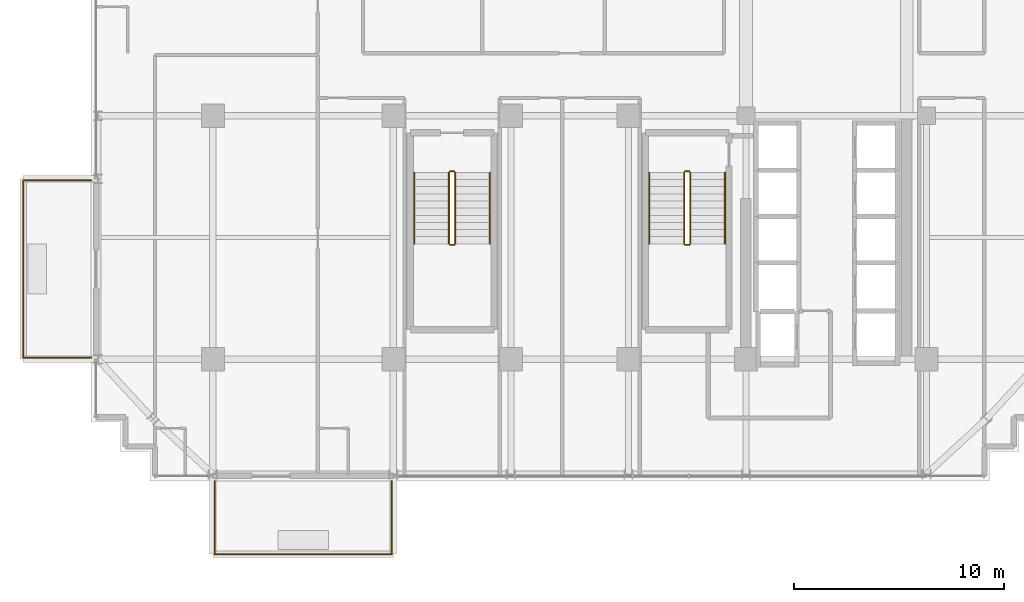
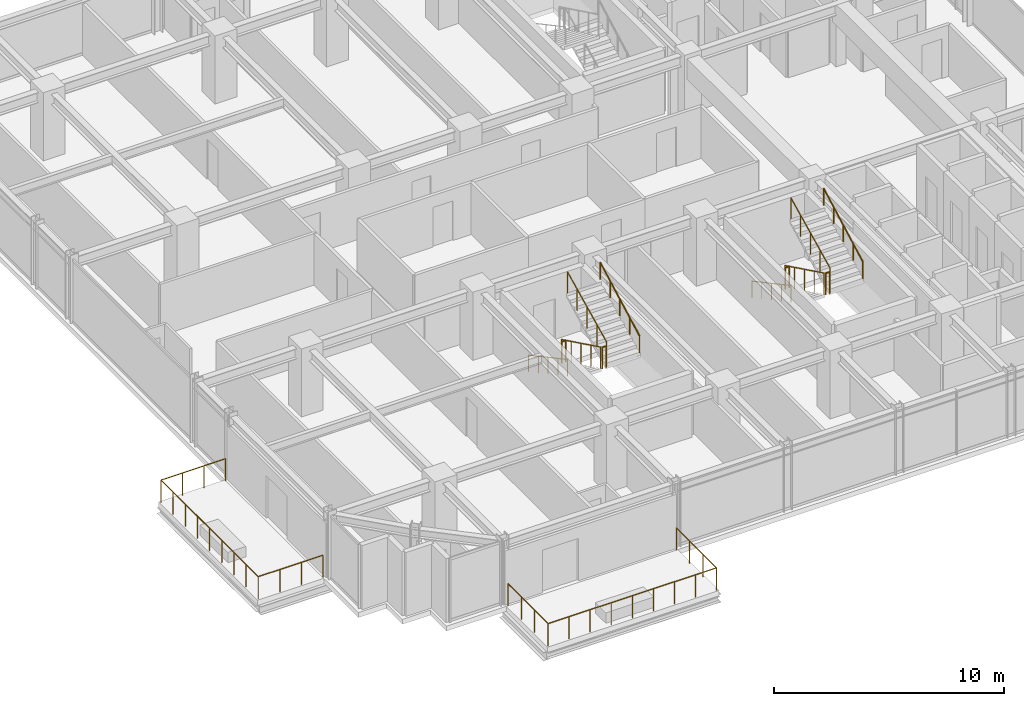
# One storey, part 29 of 31: 14 railings.
"""IFC4 building model written with IfcOpenShell, lengths in metres."""

import ifcopenshell
import ifcopenshell.guid

model = None  # the IFC model being written
_history = None  # IfcOwnerHistory: only IFC2X3 demands one
_inside = {}  # id of a spatial element -> (the spatial element, [elements in it])
_under = {}  # id of a project, library or spatial element -> (it, [spatial elements below it])
_declared = {}  # id of a project -> (the project, [libraries it declares])
_typed = {}  # id of a type object -> (the type object, [elements of that type])
_made_of = {}  # id of a material, layer set ... -> (it, [elements and type objects made of it])


def new_model(schema):
    """Start an empty IFC model of exactly this schema.

    Asked for "IFC4X3", IfcOpenShell would pick the latest addendum, in which some entities
    have other attributes; the version numbers below select the first issue.
    IFC2X3 requires an IfcOwnerHistory on every rooted entity: one is made here for all.
    """
    global model, _history
    if schema == "IFC4X3":
        model = ifcopenshell.file(schema_version=(4, 3, 0, 0))
    else:
        model = ifcopenshell.file(schema=schema)
    _inside.clear()
    _under.clear()
    _declared.clear()
    _typed.clear()
    _made_of.clear()
    _history = None
    if model.schema == "IFC2X3":
        org = make("IfcOrganization", Name="unknown")
        user = make(
            "IfcPersonAndOrganization",
            ThePerson=make("IfcPerson", FamilyName="unknown"),
            TheOrganization=org,
        )
        app = make(
            "IfcApplication",
            ApplicationDeveloper=org,
            Version="unknown",
            ApplicationFullName="unknown",
            ApplicationIdentifier="unknown",
        )
        _history = make(
            "IfcOwnerHistory",
            OwningUser=user,
            OwningApplication=app,
            ChangeAction="ADDED",
            CreationDate=0,
        )
    return model


def make(cls, **values):
    """One entity of the class cls with the attributes given. An attribute that is None is left unset."""
    return model.create_entity(
        cls, **{name: value for name, value in values.items() if value is not None}
    )


def rooted(cls, **values):
    """An entity with a GlobalId (a new one), such as an element, a storey or a relation."""
    return make(cls, GlobalId=ifcopenshell.guid.new(), OwnerHistory=_history, **values)


def si_unit(unit_type, name, prefix=None):
    """IfcSIUnit, for example si_unit("LENGTHUNIT", "METRE", prefix="MILLI")."""
    return make("IfcSIUnit", UnitType=unit_type, Prefix=prefix, Name=name)


def assignment(units):
    """IfcUnitAssignment: the units of a project."""
    return None if units is None else make("IfcUnitAssignment", Units=units)


def point(xyz):
    """IfcCartesianPoint."""
    return None if xyz is None else make("IfcCartesianPoint", Coordinates=xyz)


def direction(xyz):
    """IfcDirection."""
    return None if xyz is None else make("IfcDirection", DirectionRatios=xyz)


def frame(location, z_axis=None, x_axis=None):
    """IfcAxis2Placement3D, a coordinate frame: its origin and axes. An axis left out is left unset."""
    return make(
        "IfcAxis2Placement3D",
        Location=point(location),
        Axis=direction(z_axis),
        RefDirection=direction(x_axis),
    )


def frame_2d(location, x_axis=None):
    """IfcAxis2Placement2D, a coordinate frame in the plane: its origin and x axis."""
    return make(
        "IfcAxis2Placement2D", Location=point(location), RefDirection=direction(x_axis)
    )


def origin():
    """The frame at (0, 0, 0) with its axes left unset."""
    return frame((0.0, 0.0, 0.0))


def origin_2d():
    """The frame at (0, 0) in the plane with its x axis left unset."""
    return frame_2d((0.0, 0.0))


def place(relative_to, where):
    """IfcLocalPlacement: puts the frame where relative to a parent placement (None: the world)."""
    return make(
        "IfcLocalPlacement", PlacementRelTo=relative_to, RelativePlacement=where
    )


def context(
    kind, dimensions, precision=None, world=None, true_north=None, identifier=None
):
    """IfcGeometricRepresentationContext, for example the 3D "Model" context."""
    return make(
        "IfcGeometricRepresentationContext",
        ContextIdentifier=identifier,
        ContextType=kind,
        CoordinateSpaceDimension=dimensions,
        Precision=precision,
        WorldCoordinateSystem=world,
        TrueNorth=true_north,
    )


def subcontext(parent, identifier, kind, view, scale=None):
    """IfcGeometricRepresentationSubContext, for example "Body" below "Model"."""
    return make(
        "IfcGeometricRepresentationSubContext",
        ContextIdentifier=identifier,
        ContextType=kind,
        ParentContext=parent,
        TargetScale=scale,
        TargetView=view,
    )


def project(units=None, contexts=None):
    """IfcProject with its units and contexts."""
    return rooted(
        "IfcProject",
        Name="project",
        RepresentationContexts=contexts,
        UnitsInContext=assignment(units),
    )


def spatial(cls, under=None, at=None, **own):
    """A site, building, storey or space (cls), placed at a placement, below another one or the project."""
    s = rooted(cls, ObjectPlacement=at, **own)
    if under is not None:
        _under.setdefault(under.id(), (under, []))[1].append(s)
    return s


def profile(cls, at=None, kind="AREA", **sizes):
    """A parametric profile (cls). Its sizes go by their IFC names, for example OverallWidth=200.0."""
    return make(cls, ProfileType=kind, Position=at, **sizes)


def circle(**sizes):
    """IfcCircleProfileDef."""
    return profile("IfcCircleProfileDef", **sizes)


def extrude(swept, where, along, depth):
    """IfcExtrudedAreaSolid: the profile swept, set in the frame where, extruded along a direction by depth."""
    return make(
        "IfcExtrudedAreaSolid",
        SweptArea=swept,
        Position=where,
        ExtrudedDirection=direction(along),
        Depth=depth,
    )


def shape(context_of_items, identifier, shape_type, items):
    """IfcShapeRepresentation: the items that make up one representation, for example the "Body"."""
    return make(
        "IfcShapeRepresentation",
        ContextOfItems=context_of_items,
        RepresentationIdentifier=identifier,
        RepresentationType=shape_type,
        Items=items,
    )


def material(Name=None, Category=None):
    """IfcMaterial."""
    return make("IfcMaterial", Name=Name, Category=Category)


def made_of(thing, what):
    """Note that an element or type object is made of a material, layer set ...; save() writes the relation."""
    if what is not None:
        _made_of.setdefault(what.id(), (what, []))[1].append(thing)
    return thing


def type_object(cls, material=None, **own):
    """A type object (cls), such as IfcWallType, which elements share."""
    return made_of(rooted(cls, **own), material)


def element(
    cls,
    number,
    at=None,
    inside=None,
    cuts=None,
    type_object=None,
    material=None,
    context=None,
    identifier="Body",
    shape_type=None,
    held_by="IfcProductDefinitionShape",
    body=None,
    shapes=None,
    **own,
):
    """One element of the class cls, such as IfcWall. Its Tag is "e" and its number.

    at: its placement. inside: the storey or other place that contains it. cuts: it is an
    opening in that element (IfcRelVoidsElement). A single representation is given by context,
    identifier, shape_type and body (its items); several are given by shapes. held_by: the class
    of the entity that holds the representations. save() writes the other relations.
    """
    e = rooted(cls, Tag="e%d" % number, ObjectPlacement=at, **own)
    if body is not None:
        shapes = [shape(context, identifier, shape_type, body)]
    if shapes is not None:
        e.Representation = make(held_by, Representations=shapes)
    if inside is not None:
        _inside.setdefault(inside.id(), (inside, []))[1].append(e)
    if cuts is not None:
        rooted(
            "IfcRelVoidsElement", RelatingBuildingElement=cuts, RelatedOpeningElement=e
        )
    if type_object is not None:
        _typed.setdefault(type_object.id(), (type_object, []))[1].append(e)
    return made_of(e, material)


def aggregate(whole, parts):
    """IfcRelAggregates: a whole, such as a stair, and the parts it consists of."""
    return rooted("IfcRelAggregates", RelatingObject=whole, RelatedObjects=parts)


def save(model, path):
    """Write the relations noted so far, then the file.

    IfcRelAggregates (storeys below a building ...), IfcRelContainedInSpatialStructure (elements
    in a storey), IfcRelDefinesByType, IfcRelAssociatesMaterial and IfcRelDeclares: one each for
    every whole, place, type object, material and project.
    """
    for whole, parts in _under.values():
        aggregate(whole, parts)
    for where, things in _inside.values():
        rooted(
            "IfcRelContainedInSpatialStructure",
            RelatedElements=things,
            RelatingStructure=where,
        )
    for kind, things in _typed.values():
        rooted("IfcRelDefinesByType", RelatedObjects=things, RelatingType=kind)
    for what, things in _made_of.values():
        rooted("IfcRelAssociatesMaterial", RelatedObjects=things, RelatingMaterial=what)
    for by, libraries in _declared.values():
        rooted("IfcRelDeclares", RelatingContext=by, RelatedDefinitions=libraries)
    model.write(path)


model = new_model("IFC4")

# Units and contexts
model_context = context("Model", 3, precision=1e-05, world=origin(), true_north=direction((0.0, 1.0)))
body_context = subcontext(model_context, "Body", "Model", "MODEL_VIEW")
ifc_project = project(units=[si_unit("LENGTHUNIT", "METRE"), si_unit("AREAUNIT", "SQUARE_METRE"), si_unit("VOLUMEUNIT", "CUBIC_METRE"), si_unit("PLANEANGLEUNIT", "RADIAN"), si_unit("MASSUNIT", "GRAM", prefix="KILO")], contexts=[model_context])

# Site, building, storey
site_placement = place(None, origin())
site = spatial("IfcSite", under=ifc_project, at=site_placement, CompositionType="ELEMENT")
building_placement = place(site_placement, origin())
building = spatial("IfcBuilding", under=site, at=building_placement, Name="Nahalor Promenade Grand Hotel", CompositionType="ELEMENT")
storey_placement = place(building_placement, frame((0.0, 0.0, 156.300048828125)))
storey = spatial("IfcBuildingStorey", under=building, at=storey_placement, Name="L39", CompositionType="ELEMENT", Elevation=156.300048828125)

# Railings
ifc_material_1 = material(Name="Anodised Bronze Aluminium EN AW-6063 T6", Category="aluminium")
railing_type_1 = type_object("IfcRailingType", Name="Bronze Balcony Guardrail 1200 mm", PredefinedType="GUARDRAIL", material=ifc_material_1)
railing_1_placement = place(storey_placement, frame((-16.919921875, -22.800048828125, 0.0)))
element("IfcRailing", 1, at=railing_1_placement, inside=storey, type_object=railing_type_1, Name="L39 Balcony Guardrail 1", PredefinedType="GUARDRAIL", context=body_context, shape_type="SweptSolid", body=[
    extrude(circle(Radius=0.024048, at=origin_2d()), frame((0.0, 0.0, 1.17578125), z_axis=(0.0, -1.0, 0.0), x_axis=(1.0, 0.0, 0.0)), (0.0, 0.0, 1.0), 3.488037109375),
    extrude(circle(Radius=0.024048, at=origin_2d()), frame((0.001953125, -3.489990234375, 1.17578125), z_axis=(1.0, 0.0, 0.0), x_axis=(0.0, 1.0, 0.0)), (0.0, 0.0, 1.0), 8.43603515625),
    extrude(circle(Radius=0.024048, at=origin_2d()), frame((8.43994140625, -3.488037109375, 1.17578125), z_axis=(0.0, 1.0, 0.0), x_axis=(-1.0, 0.0, 0.0)), (0.0, 0.0, 1.0), 3.488037109375),
    extrude(circle(Radius=0.020996, at=origin_2d()), origin(), (0.0, 0.0, 1.0), 1.14990234375),
    extrude(circle(Radius=0.020996, at=origin_2d()), frame((0.0, -1.163330078125, 0.0)), (0.0, 0.0, 1.0), 1.14990234375),
    extrude(circle(Radius=0.020996, at=origin_2d()), frame((0.0, -2.32666015625, 0.0)), (0.0, 0.0, 1.0), 1.14990234375),
    extrude(circle(Radius=0.020996, at=origin_2d()), frame((0.0, -3.489990234375, 0.0)), (0.0, 0.0, 1.0), 1.14990234375),
    extrude(circle(Radius=0.020996, at=origin_2d()), frame((1.054931640625, -3.489990234375, 0.0)), (0.0, 0.0, 1.0), 1.14990234375),
    extrude(circle(Radius=0.020996, at=origin_2d()), frame((2.10986328125, -3.489990234375, 0.0)), (0.0, 0.0, 1.0), 1.14990234375),
    extrude(circle(Radius=0.020996, at=origin_2d()), frame((3.1650390625, -3.489990234375, 0.0)), (0.0, 0.0, 1.0), 1.14990234375),
    extrude(circle(Radius=0.020996, at=origin_2d()), frame((4.219970703125, -3.489990234375, 0.0)), (0.0, 0.0, 1.0), 1.14990234375),
    extrude(circle(Radius=0.020996, at=origin_2d()), frame((5.27490234375, -3.489990234375, 0.0)), (0.0, 0.0, 1.0), 1.14990234375),
    extrude(circle(Radius=0.020996, at=origin_2d()), frame((6.330078125, -3.489990234375, 0.0)), (0.0, 0.0, 1.0), 1.14990234375),
    extrude(circle(Radius=0.020996, at=origin_2d()), frame((7.385009765625, -3.489990234375, 0.0)), (0.0, 0.0, 1.0), 1.14990234375),
    extrude(circle(Radius=0.020996, at=origin_2d()), frame((8.43994140625, -3.489990234375, 0.0)), (0.0, 0.0, 1.0), 1.14990234375),
    extrude(circle(Radius=0.020996, at=origin_2d()), frame((8.43994140625, -2.32666015625, 0.0)), (0.0, 0.0, 1.0), 1.14990234375),
    extrude(circle(Radius=0.020996, at=origin_2d()), frame((8.43994140625, -1.163330078125, 0.0)), (0.0, 0.0, 1.0), 1.14990234375),
    extrude(circle(Radius=0.020996, at=origin_2d()), frame((8.43994140625, 0.0, 0.0)), (0.0, 0.0, 1.0), 1.14990234375),
])
railing_2_placement = place(storey_placement, frame((-22.800048828125, -16.919921875, 0.0)))
element("IfcRailing", 2, at=railing_2_placement, inside=storey, type_object=railing_type_1, Name="L39 Balcony Guardrail 2", PredefinedType="GUARDRAIL", context=body_context, shape_type="SweptSolid", body=[
    extrude(circle(Radius=0.024048, at=origin_2d()), frame((0.0, 0.0, 1.17578125), z_axis=(-1.0, 0.0, 0.0), x_axis=(0.0, -1.0, 0.0)), (0.0, 0.0, 1.0), 3.238037109375),
    extrude(circle(Radius=0.024048, at=origin_2d()), frame((-3.239990234375, 0.001953125, 1.17578125), z_axis=(0.0, 1.0, 0.0), x_axis=(-1.0, 0.0, 0.0)), (0.0, 0.0, 1.0), 8.43603515625),
    extrude(circle(Radius=0.024048, at=origin_2d()), frame((-3.238037109375, 8.43994140625, 1.17578125), z_axis=(1.0, 0.0, 0.0), x_axis=(0.0, 1.0, 0.0)), (0.0, 0.0, 1.0), 3.238037109375),
    extrude(circle(Radius=0.020996, at=origin_2d()), origin(), (0.0, 0.0, 1.0), 1.14990234375),
    extrude(circle(Radius=0.020996, at=origin_2d()), frame((-1.080078125, 0.0, 0.0)), (0.0, 0.0, 1.0), 1.14990234375),
    extrude(circle(Radius=0.020996, at=origin_2d()), frame((-2.159912109375, 0.0, 0.0)), (0.0, 0.0, 1.0), 1.14990234375),
    extrude(circle(Radius=0.020996, at=origin_2d()), frame((-3.239990234375, 0.0, 0.0)), (0.0, 0.0, 1.0), 1.14990234375),
    extrude(circle(Radius=0.020996, at=origin_2d()), frame((-3.239990234375, 1.054931640625, 0.0)), (0.0, 0.0, 1.0), 1.14990234375),
    extrude(circle(Radius=0.020996, at=origin_2d()), frame((-3.239990234375, 2.10986328125, 0.0)), (0.0, 0.0, 1.0), 1.14990234375),
    extrude(circle(Radius=0.020996, at=origin_2d()), frame((-3.239990234375, 3.1650390625, 0.0)), (0.0, 0.0, 1.0), 1.14990234375),
    extrude(circle(Radius=0.020996, at=origin_2d()), frame((-3.239990234375, 4.219970703125, 0.0)), (0.0, 0.0, 1.0), 1.14990234375),
    extrude(circle(Radius=0.020996, at=origin_2d()), frame((-3.239990234375, 5.27490234375, 0.0)), (0.0, 0.0, 1.0), 1.14990234375),
    extrude(circle(Radius=0.020996, at=origin_2d()), frame((-3.239990234375, 6.330078125, 0.0)), (0.0, 0.0, 1.0), 1.14990234375),
    extrude(circle(Radius=0.020996, at=origin_2d()), frame((-3.239990234375, 7.385009765625, 0.0)), (0.0, 0.0, 1.0), 1.14990234375),
    extrude(circle(Radius=0.020996, at=origin_2d()), frame((-3.239990234375, 8.43994140625, 0.0)), (0.0, 0.0, 1.0), 1.14990234375),
    extrude(circle(Radius=0.020996, at=origin_2d()), frame((-2.159912109375, 8.43994140625, 0.0)), (0.0, 0.0, 1.0), 1.14990234375),
    extrude(circle(Radius=0.020996, at=origin_2d()), frame((-1.080078125, 8.43994140625, 0.0)), (0.0, 0.0, 1.0), 1.14990234375),
    extrude(circle(Radius=0.020996, at=origin_2d()), frame((0.0, 8.43994140625, 0.0)), (0.0, 0.0, 1.0), 1.14990234375),
])
ifc_material_2 = material(Name="Steel S355JR", Category="steel")
railing_type_2 = type_object("IfcRailingType", Name="Steel Stair Guardrail 1150 mm", PredefinedType="GUARDRAIL", material=ifc_material_2)
railing_3_placement = place(storey_placement, frame((5.449951171875, -8.10009765625, 0.165771484375)))
element("IfcRailing", 3, at=railing_3_placement, inside=storey, type_object=railing_type_2, Name="L39 ST2 stair guard 1", PredefinedType="GUARDRAIL", context=body_context, shape_type="SweptSolid", body=[
    extrude(circle(Radius=0.024048, at=origin_2d()), frame((0.0, 0.0, 1.1259765625), z_axis=(0.0, -0.898696488221, 0.438571114028), x_axis=(1.0, 0.0, 0.0)), (0.0, 0.0, 1.0), 3.783203125),
    extrude(circle(Radius=0.020996, at=origin_2d()), origin(), (0.0, 0.0, 1.0), 1.099853515625),
    extrude(circle(Radius=0.020996, at=origin_2d()), frame((0.0, -0.85009765625, 0.414794921875)), (0.0, 0.0, 1.0), 1.099853515625),
    extrude(circle(Radius=0.020996, at=origin_2d()), frame((0.0, -1.699951171875, 0.82958984375)), (0.0, 0.0, 1.0), 1.099853515625),
    extrude(circle(Radius=0.020996, at=origin_2d()), frame((0.0, -2.5498046875, 1.244384765625)), (0.0, 0.0, 1.0), 1.099853515625),
    extrude(circle(Radius=0.020996, at=origin_2d()), frame((0.0, -3.39990234375, 1.6591796875)), (0.0, 0.0, 1.0), 1.099853515625),
])
railing_4_placement = place(storey_placement, frame((5.5, -11.550048828125, 1.824951171875)))
element("IfcRailing", 4, at=railing_4_placement, inside=storey, type_object=railing_type_2, Name="L39 ST2 stair guard 2", PredefinedType="GUARDRAIL", context=body_context, shape_type="SweptSolid", body=[
    extrude(circle(Radius=0.024048, at=origin_2d()), frame((0.0, 0.0, 1.1259765625), z_axis=(1.0, 0.0, 0.0), x_axis=(0.0, 1.0, 0.0)), (0.0, 0.0, 1.0), 0.199951171875),
    extrude(circle(Radius=0.020996, at=origin_2d()), origin(), (0.0, 0.0, 1.0), 1.099853515625),
    extrude(circle(Radius=0.020996, at=origin_2d()), frame((0.199951171875, 0.0, 0.0)), (0.0, 0.0, 1.0), 1.099853515625),
])
railing_5_placement = place(storey_placement, frame((5.75, -11.5, 1.990966796875)))
element("IfcRailing", 5, at=railing_5_placement, inside=storey, type_object=railing_type_2, Name="L39 ST2 stair guard 3", PredefinedType="GUARDRAIL", context=body_context, shape_type="SweptSolid", body=[
    extrude(circle(Radius=0.024048, at=origin_2d()), frame((0.0, 0.0, 1.1259765625), z_axis=(0.0, 0.898721922897, 0.438518990814), x_axis=(-1.0, 0.0, 0.0)), (0.0, 0.0, 1.0), 3.782958984375),
    extrude(circle(Radius=0.020996, at=origin_2d()), origin(), (0.0, 0.0, 1.0), 1.099853515625),
    extrude(circle(Radius=0.020996, at=origin_2d()), frame((0.0, 0.85009765625, 0.414794921875)), (0.0, 0.0, 1.0), 1.099853515625),
    extrude(circle(Radius=0.020996, at=origin_2d()), frame((0.0, 1.699951171875, 0.82958984375)), (0.0, 0.0, 1.0), 1.099853515625),
    extrude(circle(Radius=0.020996, at=origin_2d()), frame((0.0, 2.5498046875, 1.244140625)), (0.0, 0.0, 1.0), 1.099853515625),
    extrude(circle(Radius=0.020996, at=origin_2d()), frame((0.0, 3.39990234375, 1.658935546875)), (0.0, 0.0, 1.0), 1.099853515625),
])
railing_6_placement = place(storey_placement, frame((5.5, -8.050048828125, 0.0)))
element("IfcRailing", 6, at=railing_6_placement, inside=storey, type_object=railing_type_2, Name="L39 ST2 stair guard 4", PredefinedType="GUARDRAIL", context=body_context, shape_type="SweptSolid", body=[
    extrude(circle(Radius=0.024048, at=origin_2d()), frame((0.0, 0.0, 1.1259765625), z_axis=(1.0, 0.0, 0.0), x_axis=(0.0, 1.0, 0.0)), (0.0, 0.0, 1.0), 0.199951171875),
    extrude(circle(Radius=0.020996, at=origin_2d()), origin(), (0.0, 0.0, 1.0), 1.099853515625),
    extrude(circle(Radius=0.020996, at=origin_2d()), frame((0.199951171875, 0.0, 0.0)), (0.0, 0.0, 1.0), 1.099853515625),
])
railing_7_placement = place(storey_placement, frame((-5.75, -8.10009765625, 0.165771484375)))
element("IfcRailing", 7, at=railing_7_placement, inside=storey, type_object=railing_type_2, Name="L39 ST3 stair guard 1", PredefinedType="GUARDRAIL", context=body_context, shape_type="SweptSolid", body=[
    extrude(circle(Radius=0.024048, at=origin_2d()), frame((0.0, 0.0, 1.1259765625), z_axis=(0.0, -0.898696488221, 0.438571114028), x_axis=(1.0, 0.0, 0.0)), (0.0, 0.0, 1.0), 3.783203125),
    extrude(circle(Radius=0.020996, at=origin_2d()), origin(), (0.0, 0.0, 1.0), 1.099853515625),
    extrude(circle(Radius=0.020996, at=origin_2d()), frame((0.0, -0.85009765625, 0.414794921875)), (0.0, 0.0, 1.0), 1.099853515625),
    extrude(circle(Radius=0.020996, at=origin_2d()), frame((0.0, -1.699951171875, 0.82958984375)), (0.0, 0.0, 1.0), 1.099853515625),
    extrude(circle(Radius=0.020996, at=origin_2d()), frame((0.0, -2.5498046875, 1.244384765625)), (0.0, 0.0, 1.0), 1.099853515625),
    extrude(circle(Radius=0.020996, at=origin_2d()), frame((0.0, -3.39990234375, 1.6591796875)), (0.0, 0.0, 1.0), 1.099853515625),
])
railing_8_placement = place(storey_placement, frame((-5.699951171875, -11.550048828125, 1.824951171875)))
element("IfcRailing", 8, at=railing_8_placement, inside=storey, type_object=railing_type_2, Name="L39 ST3 stair guard 2", PredefinedType="GUARDRAIL", context=body_context, shape_type="SweptSolid", body=[
    extrude(circle(Radius=0.024048, at=origin_2d()), frame((0.0, 0.0, 1.1259765625), z_axis=(1.0, 0.0, 0.0), x_axis=(0.0, 1.0, 0.0)), (0.0, 0.0, 1.0), 0.199951171875),
    extrude(circle(Radius=0.020996, at=origin_2d()), origin(), (0.0, 0.0, 1.0), 1.099853515625),
    extrude(circle(Radius=0.020996, at=origin_2d()), frame((0.199951171875, 0.0, 0.0)), (0.0, 0.0, 1.0), 1.099853515625),
])
railing_9_placement = place(storey_placement, frame((-5.449951171875, -11.5, 1.990966796875)))
element("IfcRailing", 9, at=railing_9_placement, inside=storey, type_object=railing_type_2, Name="L39 ST3 stair guard 3", PredefinedType="GUARDRAIL", context=body_context, shape_type="SweptSolid", body=[
    extrude(circle(Radius=0.024048, at=origin_2d()), frame((0.0, 0.0, 1.1259765625), z_axis=(0.0, 0.898721922897, 0.438518990814), x_axis=(-1.0, 0.0, 0.0)), (0.0, 0.0, 1.0), 3.782958984375),
    extrude(circle(Radius=0.020996, at=origin_2d()), origin(), (0.0, 0.0, 1.0), 1.099853515625),
    extrude(circle(Radius=0.020996, at=origin_2d()), frame((0.0, 0.85009765625, 0.414794921875)), (0.0, 0.0, 1.0), 1.099853515625),
    extrude(circle(Radius=0.020996, at=origin_2d()), frame((0.0, 1.699951171875, 0.82958984375)), (0.0, 0.0, 1.0), 1.099853515625),
    extrude(circle(Radius=0.020996, at=origin_2d()), frame((0.0, 2.5498046875, 1.244140625)), (0.0, 0.0, 1.0), 1.099853515625),
    extrude(circle(Radius=0.020996, at=origin_2d()), frame((0.0, 3.39990234375, 1.658935546875)), (0.0, 0.0, 1.0), 1.099853515625),
])
railing_10_placement = place(storey_placement, frame((-5.699951171875, -8.050048828125, 0.0)))
element("IfcRailing", 10, at=railing_10_placement, inside=storey, type_object=railing_type_2, Name="L39 ST3 stair guard 4", PredefinedType="GUARDRAIL", context=body_context, shape_type="SweptSolid", body=[
    extrude(circle(Radius=0.024048, at=origin_2d()), frame((0.0, 0.0, 1.1259765625), z_axis=(1.0, 0.0, 0.0), x_axis=(0.0, 1.0, 0.0)), (0.0, 0.0, 1.0), 0.199951171875),
    extrude(circle(Radius=0.020996, at=origin_2d()), origin(), (0.0, 0.0, 1.0), 1.099853515625),
    extrude(circle(Radius=0.020996, at=origin_2d()), frame((0.199951171875, 0.0, 0.0)), (0.0, 0.0, 1.0), 1.099853515625),
])
railing_type_3 = type_object("IfcRailingType", Name="Steel Stair Handrail 900 mm", PredefinedType="HANDRAIL", material=ifc_material_2)
railing_11_placement = place(storey_placement, frame((3.800048828125, -8.10009765625, 0.165771484375)))
element("IfcRailing", 11, at=railing_11_placement, inside=storey, type_object=railing_type_3, Name="L39 ST2 stair handrail 1", PredefinedType="HANDRAIL", context=body_context, shape_type="SweptSolid", body=[
    extrude(circle(Radius=0.024048, at=origin_2d()), frame((0.0, 0.0, 0.8759765625), z_axis=(0.0, -0.881067672671, 0.472990228413), x_axis=(1.0, 0.0, 0.0)), (0.0, 0.0, 1.0), 3.85888671875),
    extrude(circle(Radius=0.020996, at=origin_2d()), origin(), (0.0, 0.0, 1.0), 0.849853515625),
    extrude(circle(Radius=0.020996, at=origin_2d()), frame((0.0, -0.85009765625, 0.456298828125)), (0.0, 0.0, 1.0), 0.849853515625),
    extrude(circle(Radius=0.020996, at=origin_2d()), frame((0.0, -1.699951171875, 0.91259765625)), (0.0, 0.0, 1.0), 0.849853515625),
    extrude(circle(Radius=0.020996, at=origin_2d()), frame((0.0, -2.5498046875, 1.368896484375)), (0.0, 0.0, 1.0), 0.849853515625),
    extrude(circle(Radius=0.020996, at=origin_2d()), frame((0.0, -3.39990234375, 1.8251953125)), (0.0, 0.0, 1.0), 0.849853515625),
])
railing_12_placement = place(storey_placement, frame((7.39990234375, -11.5, 1.990966796875)))
element("IfcRailing", 12, at=railing_12_placement, inside=storey, type_object=railing_type_3, Name="L39 ST2 stair handrail 2", PredefinedType="HANDRAIL", context=body_context, shape_type="SweptSolid", body=[
    extrude(circle(Radius=0.024048, at=origin_2d()), frame((0.0, 0.0, 0.8759765625), z_axis=(0.0, 0.881094038095, 0.47294111265), x_axis=(-1.0, 0.0, 0.0)), (0.0, 0.0, 1.0), 3.858642578125),
    extrude(circle(Radius=0.020996, at=origin_2d()), origin(), (0.0, 0.0, 1.0), 0.849853515625),
    extrude(circle(Radius=0.020996, at=origin_2d()), frame((0.0, 0.85009765625, 0.456298828125)), (0.0, 0.0, 1.0), 0.849853515625),
    extrude(circle(Radius=0.020996, at=origin_2d()), frame((0.0, 1.699951171875, 0.91259765625)), (0.0, 0.0, 1.0), 0.849853515625),
    extrude(circle(Radius=0.020996, at=origin_2d()), frame((0.0, 2.5498046875, 1.36865234375)), (0.0, 0.0, 1.0), 0.849853515625),
    extrude(circle(Radius=0.020996, at=origin_2d()), frame((0.0, 3.39990234375, 1.824951171875)), (0.0, 0.0, 1.0), 0.849853515625),
])
railing_13_placement = place(storey_placement, frame((-7.39990234375, -8.10009765625, 0.165771484375)))
element("IfcRailing", 13, at=railing_13_placement, inside=storey, type_object=railing_type_3, Name="L39 ST3 stair handrail 1", PredefinedType="HANDRAIL", context=body_context, shape_type="SweptSolid", body=[
    extrude(circle(Radius=0.024048, at=origin_2d()), frame((0.0, 0.0, 0.8759765625), z_axis=(0.0, -0.881067672671, 0.472990228413), x_axis=(1.0, 0.0, 0.0)), (0.0, 0.0, 1.0), 3.85888671875),
    extrude(circle(Radius=0.020996, at=origin_2d()), origin(), (0.0, 0.0, 1.0), 0.849853515625),
    extrude(circle(Radius=0.020996, at=origin_2d()), frame((0.0, -0.85009765625, 0.456298828125)), (0.0, 0.0, 1.0), 0.849853515625),
    extrude(circle(Radius=0.020996, at=origin_2d()), frame((0.0, -1.699951171875, 0.91259765625)), (0.0, 0.0, 1.0), 0.849853515625),
    extrude(circle(Radius=0.020996, at=origin_2d()), frame((0.0, -2.5498046875, 1.368896484375)), (0.0, 0.0, 1.0), 0.849853515625),
    extrude(circle(Radius=0.020996, at=origin_2d()), frame((0.0, -3.39990234375, 1.8251953125)), (0.0, 0.0, 1.0), 0.849853515625),
])
railing_14_placement = place(storey_placement, frame((-3.800048828125, -11.5, 1.990966796875)))
element("IfcRailing", 14, at=railing_14_placement, inside=storey, type_object=railing_type_3, Name="L39 ST3 stair handrail 2", PredefinedType="HANDRAIL", context=body_context, shape_type="SweptSolid", body=[
    extrude(circle(Radius=0.024048, at=origin_2d()), frame((0.0, 0.0, 0.8759765625), z_axis=(0.0, 0.881094038095, 0.47294111265), x_axis=(-1.0, 0.0, 0.0)), (0.0, 0.0, 1.0), 3.858642578125),
    extrude(circle(Radius=0.020996, at=origin_2d()), origin(), (0.0, 0.0, 1.0), 0.849853515625),
    extrude(circle(Radius=0.020996, at=origin_2d()), frame((0.0, 0.85009765625, 0.456298828125)), (0.0, 0.0, 1.0), 0.849853515625),
    extrude(circle(Radius=0.020996, at=origin_2d()), frame((0.0, 1.699951171875, 0.91259765625)), (0.0, 0.0, 1.0), 0.849853515625),
    extrude(circle(Radius=0.020996, at=origin_2d()), frame((0.0, 2.5498046875, 1.36865234375)), (0.0, 0.0, 1.0), 0.849853515625),
    extrude(circle(Radius=0.020996, at=origin_2d()), frame((0.0, 3.39990234375, 1.824951171875)), (0.0, 0.0, 1.0), 0.849853515625),
])

save(model, "model.ifc")
